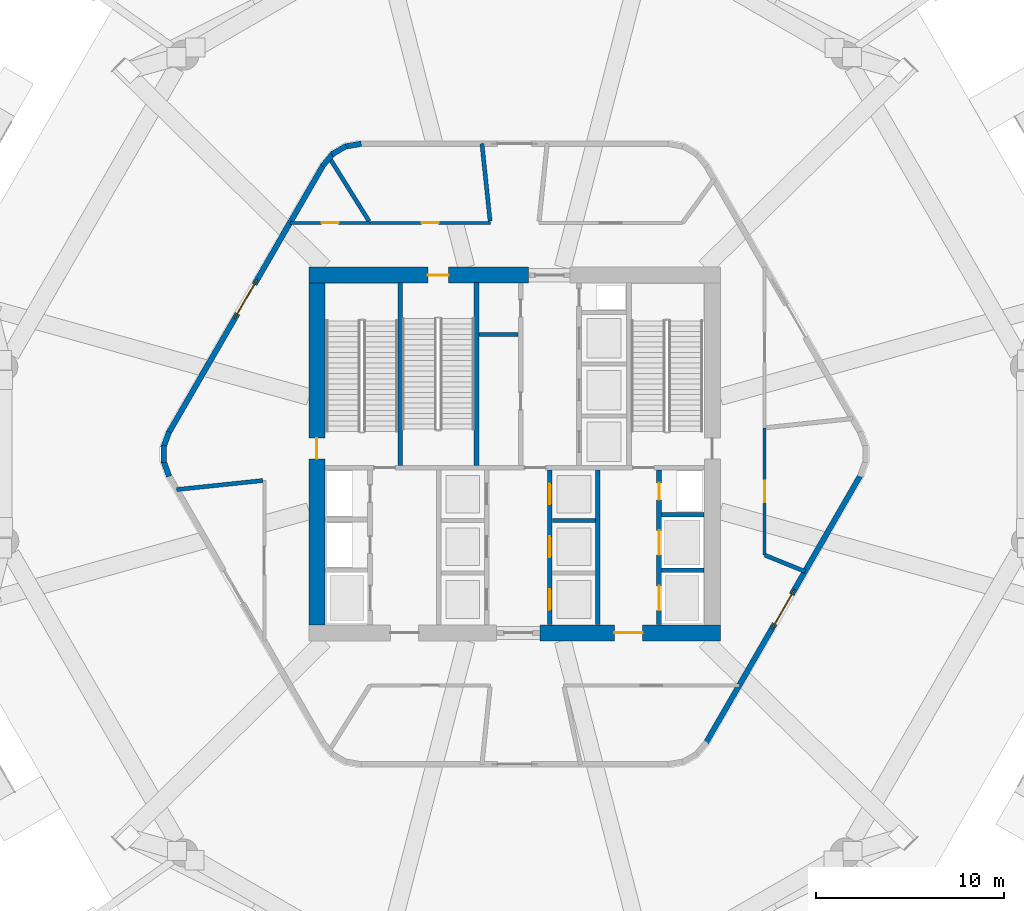
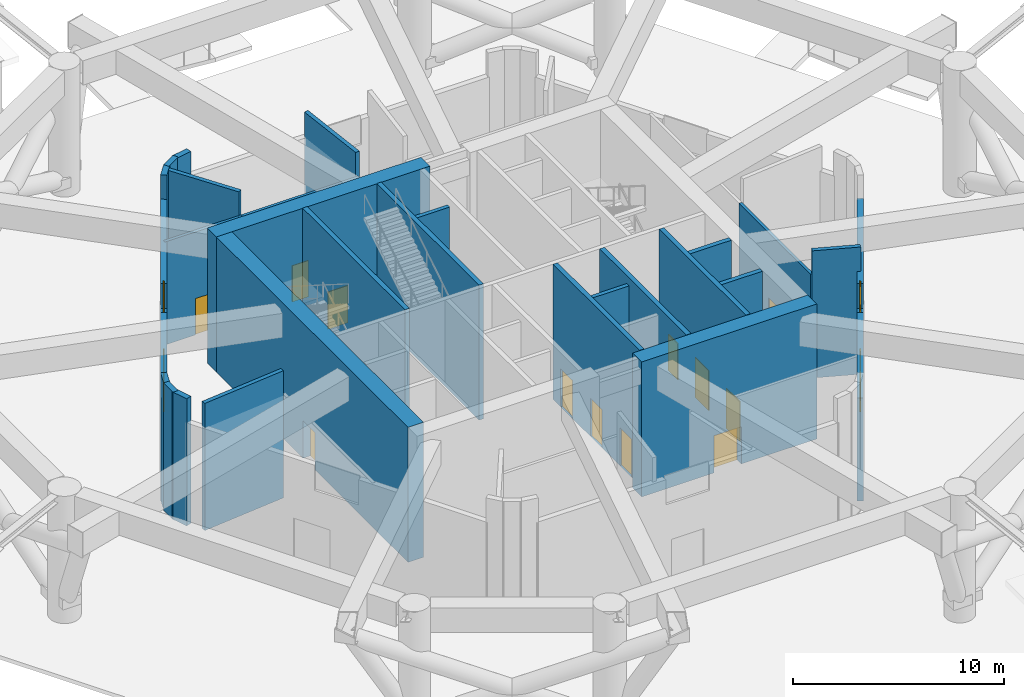
# One storey, part 10 of 17: 27 walls, 14 doors, 2 windows, 16 openings.
"""IFC4 building model written with IfcOpenShell, lengths in metres."""

import ifcopenshell
import ifcopenshell.guid

model = None  # the IFC model being written
_history = None  # IfcOwnerHistory: only IFC2X3 demands one
_inside = {}  # id of a spatial element -> (the spatial element, [elements in it])
_under = {}  # id of a project, library or spatial element -> (it, [spatial elements below it])
_declared = {}  # id of a project -> (the project, [libraries it declares])
_typed = {}  # id of a type object -> (the type object, [elements of that type])
_made_of = {}  # id of a material, layer set ... -> (it, [elements and type objects made of it])


def new_model(schema):
    """Start an empty IFC model of exactly this schema.

    Asked for "IFC4X3", IfcOpenShell would pick the latest addendum, in which some entities
    have other attributes; the version numbers below select the first issue.
    IFC2X3 requires an IfcOwnerHistory on every rooted entity: one is made here for all.
    """
    global model, _history
    if schema == "IFC4X3":
        model = ifcopenshell.file(schema_version=(4, 3, 0, 0))
    else:
        model = ifcopenshell.file(schema=schema)
    _inside.clear()
    _under.clear()
    _declared.clear()
    _typed.clear()
    _made_of.clear()
    _history = None
    if model.schema == "IFC2X3":
        org = make("IfcOrganization", Name="unknown")
        user = make(
            "IfcPersonAndOrganization",
            ThePerson=make("IfcPerson", FamilyName="unknown"),
            TheOrganization=org,
        )
        app = make(
            "IfcApplication",
            ApplicationDeveloper=org,
            Version="unknown",
            ApplicationFullName="unknown",
            ApplicationIdentifier="unknown",
        )
        _history = make(
            "IfcOwnerHistory",
            OwningUser=user,
            OwningApplication=app,
            ChangeAction="ADDED",
            CreationDate=0,
        )
    return model


def make(cls, **values):
    """One entity of the class cls with the attributes given. An attribute that is None is left unset."""
    return model.create_entity(
        cls, **{name: value for name, value in values.items() if value is not None}
    )


def rooted(cls, **values):
    """An entity with a GlobalId (a new one), such as an element, a storey or a relation."""
    return make(cls, GlobalId=ifcopenshell.guid.new(), OwnerHistory=_history, **values)


def si_unit(unit_type, name, prefix=None):
    """IfcSIUnit, for example si_unit("LENGTHUNIT", "METRE", prefix="MILLI")."""
    return make("IfcSIUnit", UnitType=unit_type, Prefix=prefix, Name=name)


def assignment(units):
    """IfcUnitAssignment: the units of a project."""
    return None if units is None else make("IfcUnitAssignment", Units=units)


def point(xyz):
    """IfcCartesianPoint."""
    return None if xyz is None else make("IfcCartesianPoint", Coordinates=xyz)


def direction(xyz):
    """IfcDirection."""
    return None if xyz is None else make("IfcDirection", DirectionRatios=xyz)


def frame(location, z_axis=None, x_axis=None):
    """IfcAxis2Placement3D, a coordinate frame: its origin and axes. An axis left out is left unset."""
    return make(
        "IfcAxis2Placement3D",
        Location=point(location),
        Axis=direction(z_axis),
        RefDirection=direction(x_axis),
    )


def frame_2d(location, x_axis=None):
    """IfcAxis2Placement2D, a coordinate frame in the plane: its origin and x axis."""
    return make(
        "IfcAxis2Placement2D", Location=point(location), RefDirection=direction(x_axis)
    )


def origin():
    """The frame at (0, 0, 0) with its axes left unset."""
    return frame((0.0, 0.0, 0.0))


def place(relative_to, where):
    """IfcLocalPlacement: puts the frame where relative to a parent placement (None: the world)."""
    return make(
        "IfcLocalPlacement", PlacementRelTo=relative_to, RelativePlacement=where
    )


def context(
    kind, dimensions, precision=None, world=None, true_north=None, identifier=None
):
    """IfcGeometricRepresentationContext, for example the 3D "Model" context."""
    return make(
        "IfcGeometricRepresentationContext",
        ContextIdentifier=identifier,
        ContextType=kind,
        CoordinateSpaceDimension=dimensions,
        Precision=precision,
        WorldCoordinateSystem=world,
        TrueNorth=true_north,
    )


def subcontext(parent, identifier, kind, view, scale=None):
    """IfcGeometricRepresentationSubContext, for example "Body" below "Model"."""
    return make(
        "IfcGeometricRepresentationSubContext",
        ContextIdentifier=identifier,
        ContextType=kind,
        ParentContext=parent,
        TargetScale=scale,
        TargetView=view,
    )


def project(units=None, contexts=None):
    """IfcProject with its units and contexts."""
    return rooted(
        "IfcProject",
        Name="project",
        RepresentationContexts=contexts,
        UnitsInContext=assignment(units),
    )


def spatial(cls, under=None, at=None, **own):
    """A site, building, storey or space (cls), placed at a placement, below another one or the project."""
    s = rooted(cls, ObjectPlacement=at, **own)
    if under is not None:
        _under.setdefault(under.id(), (under, []))[1].append(s)
    return s


def profile(cls, at=None, kind="AREA", **sizes):
    """A parametric profile (cls). Its sizes go by their IFC names, for example OverallWidth=200.0."""
    return make(cls, ProfileType=kind, Position=at, **sizes)


def rectangle(**sizes):
    """IfcRectangleProfileDef."""
    return profile("IfcRectangleProfileDef", **sizes)


def extrude(swept, where, along, depth):
    """IfcExtrudedAreaSolid: the profile swept, set in the frame where, extruded along a direction by depth."""
    return make(
        "IfcExtrudedAreaSolid",
        SweptArea=swept,
        Position=where,
        ExtrudedDirection=direction(along),
        Depth=depth,
    )


def shape(context_of_items, identifier, shape_type, items):
    """IfcShapeRepresentation: the items that make up one representation, for example the "Body"."""
    return make(
        "IfcShapeRepresentation",
        ContextOfItems=context_of_items,
        RepresentationIdentifier=identifier,
        RepresentationType=shape_type,
        Items=items,
    )


def material(Name=None, Category=None):
    """IfcMaterial."""
    return make("IfcMaterial", Name=Name, Category=Category)


def layer(
    of_material, thickness, ventilated=None, Name=None, Category=None, Priority=None
):
    """IfcMaterialLayer: one layer of a wall or slab, of a material (None: an air gap)."""
    return make(
        "IfcMaterialLayer",
        Material=of_material,
        LayerThickness=thickness,
        IsVentilated=ventilated,
        Name=Name,
        Category=Category,
        Priority=Priority,
    )


def layer_set(layers, Name=None):
    """IfcMaterialLayerSet."""
    return make("IfcMaterialLayerSet", MaterialLayers=layers, LayerSetName=Name)


def made_of(thing, what):
    """Note that an element or type object is made of a material, layer set ...; save() writes the relation."""
    if what is not None:
        _made_of.setdefault(what.id(), (what, []))[1].append(thing)
    return thing


def type_object(cls, material=None, **own):
    """A type object (cls), such as IfcWallType, which elements share."""
    return made_of(rooted(cls, **own), material)


def element(
    cls,
    number,
    at=None,
    inside=None,
    cuts=None,
    type_object=None,
    material=None,
    context=None,
    identifier="Body",
    shape_type=None,
    held_by="IfcProductDefinitionShape",
    body=None,
    shapes=None,
    **own,
):
    """One element of the class cls, such as IfcWall. Its Tag is "e" and its number.

    at: its placement. inside: the storey or other place that contains it. cuts: it is an
    opening in that element (IfcRelVoidsElement). A single representation is given by context,
    identifier, shape_type and body (its items); several are given by shapes. held_by: the class
    of the entity that holds the representations. save() writes the other relations.
    """
    e = rooted(cls, Tag="e%d" % number, ObjectPlacement=at, **own)
    if body is not None:
        shapes = [shape(context, identifier, shape_type, body)]
    if shapes is not None:
        e.Representation = make(held_by, Representations=shapes)
    if inside is not None:
        _inside.setdefault(inside.id(), (inside, []))[1].append(e)
    if cuts is not None:
        rooted(
            "IfcRelVoidsElement", RelatingBuildingElement=cuts, RelatedOpeningElement=e
        )
    if type_object is not None:
        _typed.setdefault(type_object.id(), (type_object, []))[1].append(e)
    return made_of(e, material)


def fill(opening, filler):
    """IfcRelFillsElement: the door or window that sits in an opening."""
    return rooted(
        "IfcRelFillsElement",
        RelatingOpeningElement=opening,
        RelatedBuildingElement=filler,
    )


def aggregate(whole, parts):
    """IfcRelAggregates: a whole, such as a stair, and the parts it consists of."""
    return rooted("IfcRelAggregates", RelatingObject=whole, RelatedObjects=parts)


def save(model, path):
    """Write the relations noted so far, then the file.

    IfcRelAggregates (storeys below a building ...), IfcRelContainedInSpatialStructure (elements
    in a storey), IfcRelDefinesByType, IfcRelAssociatesMaterial and IfcRelDeclares: one each for
    every whole, place, type object, material and project.
    """
    for whole, parts in _under.values():
        aggregate(whole, parts)
    for where, things in _inside.values():
        rooted(
            "IfcRelContainedInSpatialStructure",
            RelatedElements=things,
            RelatingStructure=where,
        )
    for kind, things in _typed.values():
        rooted("IfcRelDefinesByType", RelatedObjects=things, RelatingType=kind)
    for what, things in _made_of.values():
        rooted("IfcRelAssociatesMaterial", RelatedObjects=things, RelatingMaterial=what)
    for by, libraries in _declared.values():
        rooted("IfcRelDeclares", RelatingContext=by, RelatedDefinitions=libraries)
    model.write(path)


model = new_model("IFC4")

# Units and contexts
model_context = context("Model", 3, precision=1e-05, world=origin(), true_north=direction((0.0, 1.0)))
body_context = subcontext(model_context, "Body", "Model", "MODEL_VIEW")
ifc_project = project(units=[si_unit("LENGTHUNIT", "METRE"), si_unit("AREAUNIT", "SQUARE_METRE"), si_unit("VOLUMEUNIT", "CUBIC_METRE"), si_unit("PLANEANGLEUNIT", "RADIAN"), si_unit("MASSUNIT", "GRAM", prefix="KILO")], contexts=[model_context])

# Site, building, storey
site_placement = place(None, origin())
site = spatial("IfcSite", under=ifc_project, at=site_placement, CompositionType="ELEMENT")
building_placement = place(site_placement, origin())
building = spatial("IfcBuilding", under=site, at=building_placement, Name="Zuhravey Tower", CompositionType="ELEMENT")
storey_placement = place(building_placement, origin())
storey = spatial("IfcBuildingStorey", under=building, at=storey_placement, Name="L01", CompositionType="ELEMENT", Elevation=0.0)

# Wall, opening, door
ifc_material_1 = material(Name="Concrete C60/75", Category="concrete")
ifc_layer_1 = layer(ifc_material_1, 0.85009765625)
ifc_layer_set_1 = layer_set([ifc_layer_1], Name="Concrete C60/75")
wall_type_1 = type_object("IfcWallType", Name="Core Shear Wall 850", PredefinedType="SHEAR", material=ifc_layer_set_1)
wall_1_placement = place(storey_placement, frame((37.35009765625, 22.5, 0.0), z_axis=(0.0, 0.0, 1.0), x_axis=(1.0, 0.0, 0.0)))
wall_1 = element("IfcWall", 1, at=wall_1_placement, inside=storey, type_object=wall_type_1, Name="L01 South-East Core Shear Wall CW85", PredefinedType="SHEAR", context=body_context, shape_type="SweptSolid", body=[
    extrude(rectangle(XDim=9.574951171875, YDim=0.85009765625, at=frame_2d((4.78759765625, 0.0))), origin(), (0.0, 0.0, 1.0), 7.800048828125),
])
opening_1_placement = place(wall_1_placement, frame((3.949951171875, 0.0, 0.0)))
opening_1 = element("IfcOpeningElement", 2, at=opening_1_placement, cuts=wall_1, Name="Opening FFD1", PredefinedType="OPENING", context=body_context, shape_type="SweptSolid", body=[
    extrude(rectangle(XDim=1.5, YDim=2.14990234375, at=frame_2d((0.75, 1.074951171875))), frame((0.0, 0.43701171875, 0.0), z_axis=(0.0, -1.0, 0.0), x_axis=(1.0, 0.0, 0.0)), (0.0, 0.0, 1.0), 0.8740234375),
])
ifc_material_2 = material(Name="Galvanised fire-rated steel leaf", Category="steel")
door_type_1 = type_object("IfcDoorType", Name="Firefighting Lobby Double Door 1500x2150", OperationType="DOUBLE_DOOR_SINGLE_SWING", PredefinedType="DOOR", material=ifc_material_2)
door_1_placement = place(opening_1_placement, frame((1.5, 0.0, 0.0), z_axis=(0.0, 0.0, 1.0), x_axis=(-1.0, 0.0, 0.0)))
door_1 = element("IfcDoor", 3, at=door_1_placement, inside=storey, type_object=door_type_1, Name="L01 Firefighting Lobby East Door", OperationType="DOUBLE_DOOR_SINGLE_SWING", OverallHeight=2.14990234375, OverallWidth=1.5, PredefinedType="DOOR", context=body_context, shape_type="SweptSolid", body=[
    extrude(rectangle(XDim=1.5, YDim=2.14990234375, at=frame_2d((0.75, 1.074951171875))), frame((0.0, 0.02490234375, 0.0), z_axis=(0.0, -1.0, 0.0), x_axis=(1.0, 0.0, 0.0)), (0.0, 0.0, 1.0), 0.050048828125),
])
fill(opening_1, door_1)

wall_2_placement = place(storey_placement, frame((36.75, 41.5, 0.0), z_axis=(0.0, 0.0, 1.0), x_axis=(-1.0, 0.0, 0.0)))
wall_2 = element("IfcWall", 4, at=wall_2_placement, inside=storey, type_object=wall_type_1, Name="L01 North-West Core Shear Wall CW85", PredefinedType="SHEAR", context=body_context, shape_type="SweptSolid", body=[
    extrude(rectangle(XDim=11.675048828125, YDim=0.85009765625, at=frame_2d((5.83740234375, 0.0))), origin(), (0.0, 0.0, 1.0), 7.800048828125),
])
opening_2_placement = place(wall_2_placement, frame((4.25, 0.0, 0.0)))
opening_2 = element("IfcOpeningElement", 5, at=opening_2_placement, cuts=wall_2, Name="Opening STD1", PredefinedType="OPENING", context=body_context, shape_type="SweptSolid", body=[
    extrude(rectangle(XDim=1.10009765625, YDim=2.14990234375, at=frame_2d((0.550048828125, 1.074951171875))), frame((0.0, 0.43701171875, 0.0), z_axis=(0.0, -1.0, 0.0), x_axis=(1.0, 0.0, 0.0)), (0.0, 0.0, 1.0), 0.8740234375),
])
door_type_2 = type_object("IfcDoorType", Name="Protected Stair Fire Door 1100x2150", OperationType="NOTDEFINED", PredefinedType="USERDEFINED", material=ifc_material_2)
door_2_placement = place(opening_2_placement, frame((1.10009765625, 0.0, 0.0), z_axis=(0.0, 0.0, 1.0), x_axis=(-1.0, 0.0, 0.0)))
door_2 = element("IfcDoor", 6, at=door_2_placement, inside=storey, type_object=door_type_2, Name="L01 Stair ST3 Door", ObjectType="EXITDOOR", OperationType="SINGLE_SWING_RIGHT", OverallHeight=2.14990234375, OverallWidth=1.10009765625, PredefinedType="USERDEFINED", context=body_context, shape_type="SweptSolid", body=[
    extrude(rectangle(XDim=1.10009765625, YDim=2.14990234375, at=frame_2d((0.550048828125, 1.074951171875))), frame((0.0, 0.02490234375, 0.0), z_axis=(0.0, -1.0, 0.0), x_axis=(1.0, 0.0, 0.0)), (0.0, 0.0, 1.0), 0.050048828125),
])
fill(opening_2, door_2)

wall_3_placement = place(storey_placement, frame((25.5, 22.925048828125, 0.0), z_axis=(0.0, 0.0, 1.0), x_axis=(0.0, 1.0, 0.0)))
wall_3 = element("IfcWall", 7, at=wall_3_placement, inside=storey, type_object=wall_type_1, Name="L01 West Core Shear Wall CW85", PredefinedType="SHEAR", context=body_context, shape_type="SweptSolid", body=[
    extrude(rectangle(XDim=18.14990234375, YDim=0.85009765625, at=frame_2d((9.074951171875, 0.0))), origin(), (0.0, 0.0, 1.0), 7.800048828125),
])
opening_3_placement = place(wall_3_placement, frame((8.824951171875, 0.0, 0.0)))
opening_3 = element("IfcOpeningElement", 8, at=opening_3_placement, cuts=wall_3, Name="Opening STD1", PredefinedType="OPENING", context=body_context, shape_type="SweptSolid", body=[
    extrude(rectangle(XDim=1.10009765625, YDim=2.14990234375, at=frame_2d((0.550048828125, 1.074951171875))), frame((0.0, 0.43701171875, 0.0), z_axis=(0.0, -1.0, 0.0), x_axis=(1.0, 0.0, 0.0)), (0.0, 0.0, 1.0), 0.8740234375),
])
door_3_placement = place(opening_3_placement, origin())
door_3 = element("IfcDoor", 9, at=door_3_placement, inside=storey, type_object=door_type_2, Name="L01 Stair ST1 Door", ObjectType="EXITDOOR", OperationType="SINGLE_SWING_RIGHT", OverallHeight=2.14990234375, OverallWidth=1.10009765625, PredefinedType="USERDEFINED", context=body_context, shape_type="SweptSolid", body=[
    extrude(rectangle(XDim=1.10009765625, YDim=2.14990234375, at=frame_2d((0.550048828125, 1.074951171875))), frame((0.0, 0.02490234375, 0.0), z_axis=(0.0, -1.0, 0.0), x_axis=(1.0, 0.0, 0.0)), (0.0, 0.0, 1.0), 0.050048828125),
])
fill(opening_3, door_3)

ifc_material_3 = material(Name="Gypsum fire-rated stud partition")
ifc_layer_2 = layer(ifc_material_3, 0.159912109375)
ifc_layer_set_2 = layer_set([ifc_layer_2], Name="Gypsum fire-rated stud partition")
wall_type_2 = type_object("IfcWallType", Name="Corridor Fire Partition 160", PredefinedType="PARTITIONING", material=ifc_layer_set_2)
wall_4_placement = place(storey_placement, frame((49.284912109375, 26.632568359375, 0.0), z_axis=(0.0, 0.0, 1.0), x_axis=(0.0, 1.0, 0.0)))
wall_4 = element("IfcWall", 10, at=wall_4_placement, inside=storey, type_object=wall_type_2, Name="L01 IW16 Partition 022", PredefinedType="PARTITIONING", context=body_context, shape_type="SweptSolid", body=[
    extrude(rectangle(XDim=6.763671875, YDim=0.159912109375, at=frame_2d((3.3818359375, 0.0))), origin(), (0.0, 0.0, 1.0), 5.949951171875),
])
opening_4_placement = place(wall_4_placement, frame((2.806884765625, 0.0, 0.0)))
opening_4 = element("IfcOpeningElement", 11, at=opening_4_placement, cuts=wall_4, Name="Opening CLD1", PredefinedType="OPENING", context=body_context, shape_type="SweptSolid", body=[
    extrude(rectangle(XDim=1.14990234375, YDim=2.199951171875, at=frame_2d((0.574951171875, 1.10009765625))), frame((0.0, 0.092041015625, 0.0), z_axis=(0.0, -1.0, 0.0), x_axis=(1.0, 0.0, 0.0)), (0.0, 0.0, 1.0), 0.183837890625),
])
ifc_material_4 = material(Name="Acoustic timber leaf with vision lite", Category="wood")
door_type_3 = type_object("IfcDoorType", Name="Classroom Acoustic Door 1150x2200", OperationType="NOTDEFINED", PredefinedType="DOOR", material=ifc_material_4)
door_4_placement = place(opening_4_placement, frame((1.14990234375, 0.0, 0.0), z_axis=(0.0, 0.0, 1.0), x_axis=(-1.0, 0.0, 0.0)))
door_4 = element("IfcDoor", 12, at=door_4_placement, inside=storey, type_object=door_type_3, Name="L01 Door 022.1", OperationType="SINGLE_SWING_LEFT", OverallHeight=2.199951171875, OverallWidth=1.14990234375, PredefinedType="DOOR", context=body_context, shape_type="SweptSolid", body=[
    extrude(rectangle(XDim=1.14990234375, YDim=2.199951171875, at=frame_2d((0.574951171875, 1.10009765625))), frame((0.0, 0.02490234375, 0.0), z_axis=(0.0, -1.0, 0.0), x_axis=(1.0, 0.0, 0.0)), (0.0, 0.0, 1.0), 0.050048828125),
])
fill(opening_4, door_4)

wall_5_placement = place(storey_placement, frame((34.708740234375, 44.284912109375, 0.0), z_axis=(0.0, 0.0, 1.0), x_axis=(-1.0, 0.0, 0.0)))
wall_5 = element("IfcWall", 13, at=wall_5_placement, inside=storey, type_object=wall_type_2, Name="L01 IW16 Partition 024", PredefinedType="PARTITIONING", context=body_context, shape_type="SweptSolid", body=[
    extrude(rectangle(XDim=6.38525390625, YDim=0.159912109375, at=frame_2d((3.192626953125, 0.0))), origin(), (0.0, 0.0, 1.0), 5.949951171875),
])
opening_5_placement = place(wall_5_placement, frame((2.74267578125, 0.0, 0.0)))
opening_5 = element("IfcOpeningElement", 14, at=opening_5_placement, cuts=wall_5, Name="Opening RSD1", PredefinedType="OPENING", context=body_context, shape_type="SweptSolid", body=[
    extrude(rectangle(XDim=0.89990234375, YDim=2.10009765625, at=frame_2d((0.449951171875, 1.050048828125))), frame((0.0, 0.092041015625, 0.0), z_axis=(0.0, -1.0, 0.0), x_axis=(1.0, 0.0, 0.0)), (0.0, 0.0, 1.0), 0.183837890625),
])
ifc_material_5 = material(Name="Galvanised fire-rated steel access leaf", Category="steel")
door_type_4 = type_object("IfcDoorType", Name="Riser & Shaft Access Fire Door 900x2100", OperationType="NOTDEFINED", PredefinedType="DOOR", material=ifc_material_5)
door_5_placement = place(opening_5_placement, frame((0.89990234375, 0.0, 0.0), z_axis=(0.0, 0.0, 1.0), x_axis=(-1.0, 0.0, 0.0)))
door_5 = element("IfcDoor", 15, at=door_5_placement, inside=storey, type_object=door_type_4, Name="L01 Door 024.1", OperationType="SINGLE_SWING_LEFT", OverallHeight=2.10009765625, OverallWidth=0.89990234375, PredefinedType="DOOR", context=body_context, shape_type="SweptSolid", body=[
    extrude(rectangle(XDim=0.89990234375, YDim=2.10009765625, at=frame_2d((0.449951171875, 1.050048828125))), frame((0.0, 0.02490234375, 0.0), z_axis=(0.0, -1.0, 0.0), x_axis=(1.0, 0.0, 0.0)), (0.0, 0.0, 1.0), 0.050048828125),
])
fill(opening_5, door_5)

wall_6_placement = place(storey_placement, frame((28.323486328125, 44.284912109375, 0.0), z_axis=(0.0, 0.0, 1.0), x_axis=(-1.0, 0.0, 0.0)))
wall_6 = element("IfcWall", 16, at=wall_6_placement, inside=storey, type_object=wall_type_2, Name="L01 IW16 Partition 025", PredefinedType="PARTITIONING", context=body_context, shape_type="SweptSolid", body=[
    extrude(rectangle(XDim=4.24609375, YDim=0.159912109375, at=frame_2d((2.123046875, 0.0))), origin(), (0.0, 0.0, 1.0), 5.949951171875),
])
opening_6_placement = place(wall_6_placement, frame((1.673095703125, 0.0, 0.0)))
opening_6 = element("IfcOpeningElement", 17, at=opening_6_placement, cuts=wall_6, Name="Opening RSD1", PredefinedType="OPENING", context=body_context, shape_type="SweptSolid", body=[
    extrude(rectangle(XDim=0.89990234375, YDim=2.10009765625, at=frame_2d((0.449951171875, 1.050048828125))), frame((0.0, 0.092041015625, 0.0), z_axis=(0.0, -1.0, 0.0), x_axis=(1.0, 0.0, 0.0)), (0.0, 0.0, 1.0), 0.183837890625),
])
door_6_placement = place(opening_6_placement, frame((0.89990234375, 0.0, 0.0), z_axis=(0.0, 0.0, 1.0), x_axis=(-1.0, 0.0, 0.0)))
door_6 = element("IfcDoor", 18, at=door_6_placement, inside=storey, type_object=door_type_4, Name="L01 Door 025.1", OperationType="SINGLE_SWING_RIGHT", OverallHeight=2.10009765625, OverallWidth=0.89990234375, PredefinedType="DOOR", context=body_context, shape_type="SweptSolid", body=[
    extrude(rectangle(XDim=0.89990234375, YDim=2.10009765625, at=frame_2d((0.449951171875, 1.050048828125))), frame((0.0, 0.02490234375, 0.0), z_axis=(0.0, -1.0, 0.0), x_axis=(1.0, 0.0, 0.0)), (0.0, 0.0, 1.0), 0.050048828125),
])
fill(opening_6, door_6)

# Walls
ifc_material_6 = material(Name="Concrete C50/60", Category="concrete")
ifc_layer_3 = layer(ifc_material_6, 0.25)
ifc_layer_set_3 = layer_set([ifc_layer_3], Name="Concrete C50/60")
wall_type_3 = type_object("IfcWallType", Name="Firefighting Shaft & Stair Wall 250", PredefinedType="SOLIDWALL", material=ifc_layer_set_3)
for number, where, z_axis, x_axis, name in (
    (19, (29.925048828125, 31.39990234375, 0.0), (0.0, 0.0, 1.0), (0.0, 1.0, 0.0), "L01 FW25 Shaft Wall 004"),
    (20, (33.97509765625, 31.39990234375, 0.0), (0.0, 0.0, 1.0), (0.0, 1.0, 0.0), "L01 FW25 Shaft Wall 005"),
):
    element("IfcWall", number, at=place(storey_placement, frame(where, z_axis=z_axis, x_axis=x_axis)), inside=storey, type_object=wall_type_3, Name=name, PredefinedType="SOLIDWALL", context=body_context, shape_type="SweptSolid", body=[
        extrude(rectangle(XDim=9.7001953125, YDim=0.25, at=frame_2d((4.85009765625, 0.0))), origin(), (0.0, 0.0, 1.0), 7.800048828125),
    ])

# Wall, openings, doors
wall_7_placement = place(storey_placement, frame((37.875, 22.949951171875, 0.0), z_axis=(0.0, 0.0, 1.0), x_axis=(0.0, 1.0, 0.0)))
wall_7 = element("IfcWall", 21, at=wall_7_placement, inside=storey, type_object=wall_type_3, Name="L01 FW25 Shaft Wall 014", PredefinedType="SOLIDWALL", context=body_context, shape_type="SweptSolid", body=[
    extrude(rectangle(XDim=8.199951171875, YDim=0.25, at=frame_2d((4.10009765625, 0.0))), origin(), (0.0, 0.0, 1.0), 7.800048828125),
])
opening_7_placement = place(wall_7_placement, frame((0.77490234375, 0.0, 0.0)))
opening_7 = element("IfcOpeningElement", 22, at=opening_7_placement, cuts=wall_7, Name="Opening LD1", PredefinedType="OPENING", context=body_context, shape_type="SweptSolid", body=[
    extrude(rectangle(XDim=1.10009765625, YDim=2.199951171875, at=frame_2d((0.550048828125, 1.10009765625))), frame((0.0, 0.136962890625, 0.0), z_axis=(0.0, -1.0, 0.0), x_axis=(1.0, 0.0, 0.0)), (0.0, 0.0, 1.0), 0.27392578125),
])
opening_8_placement = place(wall_7_placement, frame((3.574951171875, 0.0, 0.0)))
opening_8 = element("IfcOpeningElement", 23, at=opening_8_placement, cuts=wall_7, Name="Opening LD1", PredefinedType="OPENING", context=body_context, shape_type="SweptSolid", body=[
    extrude(rectangle(XDim=1.10009765625, YDim=2.199951171875, at=frame_2d((0.550048828125, 1.10009765625))), frame((0.0, 0.136962890625, 0.0), z_axis=(0.0, -1.0, 0.0), x_axis=(1.0, 0.0, 0.0)), (0.0, 0.0, 1.0), 0.27392578125),
])
opening_9_placement = place(wall_7_placement, frame((6.375, 0.0, 0.0)))
opening_9 = element("IfcOpeningElement", 24, at=opening_9_placement, cuts=wall_7, Name="Opening LD1", PredefinedType="OPENING", context=body_context, shape_type="SweptSolid", body=[
    extrude(rectangle(XDim=1.10009765625, YDim=2.199951171875, at=frame_2d((0.550048828125, 1.10009765625))), frame((0.0, 0.136962890625, 0.0), z_axis=(0.0, -1.0, 0.0), x_axis=(1.0, 0.0, 0.0)), (0.0, 0.0, 1.0), 0.27392578125),
])
ifc_material_7 = material(Name="Brushed stainless steel", Category="steel")
door_type_5 = type_object("IfcDoorType", Name="Lift Landing Sliding Door 1100x2200", OperationType="DOUBLE_DOOR_SLIDING", PredefinedType="DOOR", material=ifc_material_7)
door_7_placement = place(opening_7_placement, origin())
door_7 = element("IfcDoor", 25, at=door_7_placement, inside=storey, type_object=door_type_5, Name="L01 Lift PL4 Landing Door", OperationType="DOUBLE_DOOR_SLIDING", OverallHeight=2.199951171875, OverallWidth=1.10009765625, PredefinedType="DOOR", context=body_context, shape_type="SweptSolid", body=[
    extrude(rectangle(XDim=1.10009765625, YDim=2.199951171875, at=frame_2d((0.550048828125, 1.10009765625))), frame((0.0, 0.02490234375, 0.0), z_axis=(0.0, -1.0, 0.0), x_axis=(1.0, 0.0, 0.0)), (0.0, 0.0, 1.0), 0.050048828125),
])
fill(opening_7, door_7)
door_8_placement = place(opening_8_placement, origin())
door_8 = element("IfcDoor", 26, at=door_8_placement, inside=storey, type_object=door_type_5, Name="L01 Lift PL5 Landing Door", OperationType="DOUBLE_DOOR_SLIDING", OverallHeight=2.199951171875, OverallWidth=1.10009765625, PredefinedType="DOOR", context=body_context, shape_type="SweptSolid", body=[
    extrude(rectangle(XDim=1.10009765625, YDim=2.199951171875, at=frame_2d((0.550048828125, 1.10009765625))), frame((0.0, 0.02490234375, 0.0), z_axis=(0.0, -1.0, 0.0), x_axis=(1.0, 0.0, 0.0)), (0.0, 0.0, 1.0), 0.050048828125),
])
fill(opening_8, door_8)
door_9_placement = place(opening_9_placement, origin())
door_9 = element("IfcDoor", 27, at=door_9_placement, inside=storey, type_object=door_type_5, Name="L01 Lift PL6 Landing Door", OperationType="DOUBLE_DOOR_SLIDING", OverallHeight=2.199951171875, OverallWidth=1.10009765625, PredefinedType="DOOR", context=body_context, shape_type="SweptSolid", body=[
    extrude(rectangle(XDim=1.10009765625, YDim=2.199951171875, at=frame_2d((0.550048828125, 1.10009765625))), frame((0.0, 0.02490234375, 0.0), z_axis=(0.0, -1.0, 0.0), x_axis=(1.0, 0.0, 0.0)), (0.0, 0.0, 1.0), 0.050048828125),
])
fill(opening_9, door_9)

# Walls
wall_8_placement = place(storey_placement, frame((40.425048828125, 22.949951171875, 0.0), z_axis=(0.0, 0.0, 1.0), x_axis=(0.0, 1.0, 0.0)))
element("IfcWall", 28, at=wall_8_placement, inside=storey, type_object=wall_type_3, Name="L01 FW25 Shaft Wall 015", PredefinedType="SOLIDWALL", context=body_context, shape_type="SweptSolid", body=[
    extrude(rectangle(XDim=8.199951171875, YDim=0.25, at=frame_2d((4.10009765625, 0.0))), origin(), (0.0, 0.0, 1.0), 7.800048828125),
])
for number, where, z_axis, x_axis, name in (
    (29, (43.800048828125, 25.824951171875, 0.0), (0.0, 0.0, 1.0), (1.0, 0.0, 0.0), "L01 FW25 Shaft Wall 016"),
    (30, (43.800048828125, 28.77490234375, 0.0), (0.0, 0.0, 1.0), (1.0, 0.0, 0.0), "L01 FW25 Shaft Wall 017"),
):
    element("IfcWall", number, at=place(storey_placement, frame(where, z_axis=z_axis, x_axis=x_axis)), inside=storey, type_object=wall_type_3, Name=name, PredefinedType="SOLIDWALL", context=body_context, shape_type="SweptSolid", body=[
        extrude(rectangle(XDim=2.25, YDim=0.25, at=frame_2d((1.125, 0.0))), origin(), (0.0, 0.0, 1.0), 7.800048828125),
    ])

# Wall, openings, doors
wall_9_placement = place(storey_placement, frame((43.675048828125, 22.949951171875, 0.0), z_axis=(0.0, 0.0, 1.0), x_axis=(0.0, 1.0, 0.0)))
wall_9 = element("IfcWall", 31, at=wall_9_placement, inside=storey, type_object=wall_type_3, Name="L01 FW25 Shaft Wall 018", PredefinedType="SOLIDWALL", context=body_context, shape_type="SweptSolid", body=[
    extrude(rectangle(XDim=8.199951171875, YDim=0.25, at=frame_2d((4.10009765625, 0.0))), origin(), (0.0, 0.0, 1.0), 7.800048828125),
])
opening_10_placement = place(wall_9_placement, frame((0.75, 0.0, 0.0)))
opening_10 = element("IfcOpeningElement", 32, at=opening_10_placement, cuts=wall_9, Name="Opening LD2", PredefinedType="OPENING", context=body_context, shape_type="SweptSolid", body=[
    extrude(rectangle(XDim=1.300048828125, YDim=2.300048828125, at=frame_2d((0.64990234375, 1.14990234375))), frame((0.0, 0.136962890625, 0.0), z_axis=(0.0, -1.0, 0.0), x_axis=(1.0, 0.0, 0.0)), (0.0, 0.0, 1.0), 0.27392578125),
])
opening_11_placement = place(wall_9_placement, frame((3.699951171875, 0.0, 0.0)))
opening_11 = element("IfcOpeningElement", 33, at=opening_11_placement, cuts=wall_9, Name="Opening LD2", PredefinedType="OPENING", context=body_context, shape_type="SweptSolid", body=[
    extrude(rectangle(XDim=1.300048828125, YDim=2.300048828125, at=frame_2d((0.64990234375, 1.14990234375))), frame((0.0, 0.136962890625, 0.0), z_axis=(0.0, -1.0, 0.0), x_axis=(1.0, 0.0, 0.0)), (0.0, 0.0, 1.0), 0.27392578125),
])
opening_12_placement = place(wall_9_placement, frame((6.6201171875, 0.0, 0.0)))
opening_12 = element("IfcOpeningElement", 34, at=opening_12_placement, cuts=wall_9, Name="Opening RSD1", PredefinedType="OPENING", context=body_context, shape_type="SweptSolid", body=[
    extrude(rectangle(XDim=0.89990234375, YDim=2.10009765625, at=frame_2d((0.449951171875, 1.050048828125))), frame((0.0, 0.136962890625, 0.0), z_axis=(0.0, -1.0, 0.0), x_axis=(1.0, 0.0, 0.0)), (0.0, 0.0, 1.0), 0.27392578125),
])
door_type_6 = type_object("IfcDoorType", Name="Freight & Stretcher Lift Sliding Door 1300x2300", OperationType="DOUBLE_DOOR_SLIDING", PredefinedType="DOOR", material=ifc_material_7)
door_10_placement = place(opening_10_placement, origin())
door_10 = element("IfcDoor", 35, at=door_10_placement, inside=storey, type_object=door_type_6, Name="L01 Lift FF2 Landing Door", OperationType="DOUBLE_DOOR_SLIDING", OverallHeight=2.300048828125, OverallWidth=1.300048828125, PredefinedType="DOOR", context=body_context, shape_type="SweptSolid", body=[
    extrude(rectangle(XDim=1.300048828125, YDim=2.300048828125, at=frame_2d((0.64990234375, 1.14990234375))), frame((0.0, 0.02490234375, 0.0), z_axis=(0.0, -1.0, 0.0), x_axis=(1.0, 0.0, 0.0)), (0.0, 0.0, 1.0), 0.050048828125),
])
fill(opening_10, door_10)
door_11_placement = place(opening_11_placement, origin())
door_11 = element("IfcDoor", 36, at=door_11_placement, inside=storey, type_object=door_type_6, Name="L01 Lift SV1 Landing Door", OperationType="DOUBLE_DOOR_SLIDING", OverallHeight=2.300048828125, OverallWidth=1.300048828125, PredefinedType="DOOR", context=body_context, shape_type="SweptSolid", body=[
    extrude(rectangle(XDim=1.300048828125, YDim=2.300048828125, at=frame_2d((0.64990234375, 1.14990234375))), frame((0.0, 0.02490234375, 0.0), z_axis=(0.0, -1.0, 0.0), x_axis=(1.0, 0.0, 0.0)), (0.0, 0.0, 1.0), 0.050048828125),
])
fill(opening_11, door_11)
door_12_placement = place(opening_12_placement, origin())
door_12 = element("IfcDoor", 37, at=door_12_placement, inside=storey, type_object=door_type_4, Name="L01 Plumbing Riser Door", OperationType="SINGLE_SWING_LEFT", OverallHeight=2.10009765625, OverallWidth=0.89990234375, PredefinedType="DOOR", context=body_context, shape_type="SweptSolid", body=[
    extrude(rectangle(XDim=0.89990234375, YDim=2.10009765625, at=frame_2d((0.449951171875, 1.050048828125))), frame((0.0, 0.02490234375, 0.0), z_axis=(0.0, -1.0, 0.0), x_axis=(1.0, 0.0, 0.0)), (0.0, 0.0, 1.0), 0.050048828125),
])
fill(opening_12, door_12)

# Walls
ifc_material_8 = material(Name="Gypsum acoustic stud assembly")
ifc_layer_4 = layer(ifc_material_8, 0.219970703125)
ifc_layer_set_4 = layer_set([ifc_layer_4], Name="Gypsum acoustic stud assembly")
wall_type_4 = type_object("IfcWallType", Name="School Acoustic Compartment Wall 220", PredefinedType="PARTITIONING", material=ifc_layer_set_4)
wall_10_placement = place(storey_placement, frame((34.10791015625, 38.35009765625, 0.0), z_axis=(0.0, 0.0, 1.0), x_axis=(1.0, 0.0, 0.0)))
element("IfcWall", 38, at=wall_10_placement, inside=storey, type_object=wall_type_4, Name="L01 IW22 Partition 027", PredefinedType="PARTITIONING", context=body_context, shape_type="SweptSolid", body=[
    extrude(rectangle(XDim=2.083984375, YDim=0.219970703125, at=frame_2d((1.0419921875, 0.0))), origin(), (0.0, 0.0, 1.0), 7.35009765625),
])
wall_11_placement = place(storey_placement, frame((38.008056640625, 28.47509765625, 0.0), z_axis=(0.0, 0.0, 1.0), x_axis=(1.0, 0.0, 0.0)))
element("IfcWall", 39, at=wall_11_placement, inside=storey, type_object=wall_type_4, Name="L01 IW22 Partition 034", PredefinedType="PARTITIONING", context=body_context, shape_type="SweptSolid", body=[
    extrude(rectangle(XDim=2.283935546875, YDim=0.219970703125, at=frame_2d((1.14208984375, 0.0))), origin(), (0.0, 0.0, 1.0), 7.35009765625),
])
wall_12_placement = place(storey_placement, frame((22.626953125, 30.594482421875, 0.0), z_axis=(0.0, 0.0, 1.0), x_axis=(-0.994522302342, -0.104524591102, 0.0)))
element("IfcWall", 40, at=wall_12_placement, inside=storey, type_object=wall_type_4, Name="L01 IW22 Partition 035", PredefinedType="PARTITIONING", context=body_context, shape_type="SweptSolid", body=[
    extrude(rectangle(XDim=4.601318359375, YDim=0.219970703125, at=frame_2d((2.30078125, 0.0))), origin(), (0.0, 0.0, 1.0), 7.35009765625),
])
wall_13_placement = place(storey_placement, frame((49.284912109375, 26.632568359375, 0.0), z_axis=(0.0, 0.0, 1.0), x_axis=(0.927194783694, -0.37457954174, 0.0)))
element("IfcWall", 41, at=wall_13_placement, inside=storey, type_object=wall_type_4, Name="L01 IW22 Partition 040", PredefinedType="PARTITIONING", context=body_context, shape_type="SweptSolid", body=[
    extrude(rectangle(XDim=2.321533203125, YDim=0.219970703125, at=frame_2d((1.16064453125, 0.0))), origin(), (0.0, 0.0, 1.0), 7.35009765625),
])
wall_14_placement = place(storey_placement, frame((34.699462890625, 44.373046875, 0.0), z_axis=(0.0, 0.0, 1.0), x_axis=(-0.1045035548, 0.994524513038, 0.0)))
element("IfcWall", 42, at=wall_14_placement, inside=storey, type_object=wall_type_4, Name="L01 IW22 Partition 042", PredefinedType="PARTITIONING", context=body_context, shape_type="SweptSolid", body=[
    extrude(rectangle(XDim=4.137451171875, YDim=0.219970703125, at=frame_2d((2.06884765625, 0.0))), origin(), (0.0, 0.0, 1.0), 7.35009765625),
])
wall_15_placement = place(storey_placement, frame((28.2685546875, 44.373046875, 0.0), z_axis=(0.0, 0.0, 1.0), x_axis=(-0.52994380532, 0.84803276069, 0.0)))
element("IfcWall", 43, at=wall_15_placement, inside=storey, type_object=wall_type_4, Name="L01 IW22 Partition 043", PredefinedType="PARTITIONING", context=body_context, shape_type="SweptSolid", body=[
    extrude(rectangle(XDim=3.98046875, YDim=0.219970703125, at=frame_2d((1.990234375, 0.0))), origin(), (0.0, 0.0, 1.0), 7.35009765625),
])

# Wall, openings, door, window
ifc_material_9 = material(Name="Precast concrete C40/50", Category="concrete")
ifc_layer_5 = layer(ifc_material_9, 0.300048828125)
ifc_layer_set_5 = layer_set([ifc_layer_5], Name="Precast concrete C40/50")
wall_type_5 = type_object("IfcWallType", Name="Stilt Pavilion Enclosure Wall 300", PredefinedType="SOLIDWALL", material=ifc_layer_set_5)
wall_16_placement = place(storey_placement, frame((54.398193359375, 30.9111328125, 0.0), z_axis=(0.0, 0.0, 1.0), x_axis=(-0.49999847728, -0.866026282926, 0.0)))
wall_16 = element("IfcWall", 44, at=wall_16_placement, inside=storey, type_object=wall_type_5, Name="L01 Pavilion Enclosure Wall EW30-01", PredefinedType="SOLIDWALL", context=body_context, shape_type="SweptSolid", body=[
    extrude(rectangle(XDim=16.51220703125, YDim=0.300048828125, at=frame_2d((8.256103515625, 0.0))), origin(), (0.0, 0.0, 1.0), 5.949951171875),
])
opening_13_placement = place(wall_16_placement, frame((7.356201171875, 0.0, 0.0)))
opening_13 = element("IfcOpeningElement", 45, at=opening_13_placement, cuts=wall_16, Name="Opening EXD1", PredefinedType="OPENING", context=body_context, shape_type="SweptSolid", body=[
    extrude(rectangle(XDim=1.800048828125, YDim=2.39990234375, at=frame_2d((0.89990234375, 1.199951171875))), frame((0.0, 0.162109375, 0.0), z_axis=(0.0, -1.0, 0.0), x_axis=(1.0, 0.0, 0.0)), (0.0, 0.0, 1.0), 0.323974609375),
])
opening_14_placement = place(wall_16_placement, frame((7.05615234375, 0.0, 4.5)))
opening_14 = element("IfcOpeningElement", 46, at=opening_14_placement, cuts=wall_16, Name="Opening WN1", PredefinedType="OPENING", context=body_context, shape_type="SweptSolid", body=[
    extrude(rectangle(XDim=2.39990234375, YDim=1.60009765625, at=frame_2d((1.199951171875, 0.800048828125))), frame((0.0, 0.162109375, 0.0), z_axis=(0.0, -1.0, 0.0), x_axis=(1.0, 0.0, 0.0)), (0.0, 0.0, 1.0), 0.323974609375),
])
ifc_material_10 = material(Name="Anodised aluminium and safety glass", Category="aluminium")
door_type_7 = type_object("IfcDoorType", Name="Pedestrian Final Exit Double Door 1800x2400", OperationType="DOUBLE_DOOR_SINGLE_SWING", PredefinedType="USERDEFINED", material=ifc_material_10)
door_13_placement = place(opening_13_placement, origin())
door_13 = element("IfcDoor", 47, at=door_13_placement, inside=storey, type_object=door_type_7, Name="L01 Final Exit Door EX-02", ObjectType="EXITDOOR", OperationType="DOUBLE_DOOR_SINGLE_SWING", OverallHeight=2.39990234375, OverallWidth=1.800048828125, PredefinedType="USERDEFINED", context=body_context, shape_type="SweptSolid", body=[
    extrude(rectangle(XDim=1.800048828125, YDim=2.39990234375, at=frame_2d((0.89990234375, 1.199951171875))), frame((0.0, 0.02490234375, 0.0), z_axis=(0.0, -1.0, 0.0), x_axis=(1.0, 0.0, 0.0)), (0.0, 0.0, 1.0), 0.050048828125),
])
fill(opening_13, door_13)
ifc_material_11 = material(Name="Thermally broken aluminium and triple low-E glass", Category="aluminium")
window_type = type_object("IfcWindowType", Name="Stilt Pavilion Clerestory Window 2400x1600", PartitioningType="SINGLE_PANEL", PredefinedType="WINDOW", material=ifc_material_11)
window_1_placement = place(opening_14_placement, origin())
window_1 = element("IfcWindow", 48, at=window_1_placement, inside=storey, type_object=window_type, Name="L01 Pavilion Clerestory Window WN1-01", OverallHeight=1.60009765625, OverallWidth=2.39990234375, PartitioningType="SINGLE_PANEL", PredefinedType="WINDOW", context=body_context, shape_type="SweptSolid", body=[
    extrude(rectangle(XDim=2.39990234375, YDim=1.60009765625, at=frame_2d((1.199951171875, 0.800048828125))), frame((0.0, 0.030029296875, 0.0), z_axis=(0.0, -1.0, 0.0), x_axis=(1.0, 0.0, 0.0)), (0.0, 0.0, 1.0), 0.06005859375),
])
fill(opening_14, window_1)

# Walls
wall_17_placement = place(storey_placement, frame((17.648193359375, 30.81201171875, 0.0), z_axis=(0.0, 0.0, 1.0), x_axis=(-0.342198422728, 0.939627713237, 0.0)))
element("IfcWall", 49, at=wall_17_placement, inside=storey, type_object=wall_type_5, Name="L01 Pavilion Enclosure Wall EW30-10", PredefinedType="SOLIDWALL", context=body_context, shape_type="SweptSolid", body=[
    extrude(rectangle(XDim=0.904052734375, YDim=0.300048828125, at=frame_2d((0.4521484375, 0.0))), origin(), (0.0, 0.0, 1.0), 7.35009765625),
])
wall_18_placement = place(storey_placement, frame((17.357666015625, 31.5546875, 0.0), z_axis=(0.0, 0.0, 1.0), x_axis=(0.0, 1.0, 0.0)))
element("IfcWall", 50, at=wall_18_placement, inside=storey, type_object=wall_type_5, Name="L01 Pavilion Enclosure Wall EW30-11", PredefinedType="SOLIDWALL", context=body_context, shape_type="SweptSolid", body=[
    extrude(rectangle(XDim=0.890625, YDim=0.300048828125, at=frame_2d((0.4453125, 0.0))), origin(), (0.0, 0.0, 1.0), 7.35009765625),
])
wall_19_placement = place(storey_placement, frame((17.3388671875, 32.338623046875, 0.0), z_axis=(0.0, 0.0, 1.0), x_axis=(0.342198422728, 0.939627713237, 0.0)))
element("IfcWall", 51, at=wall_19_placement, inside=storey, type_object=wall_type_5, Name="L01 Pavilion Enclosure Wall EW30-12", PredefinedType="SOLIDWALL", context=body_context, shape_type="SweptSolid", body=[
    extrude(rectangle(XDim=0.904052734375, YDim=0.300048828125, at=frame_2d((0.4521484375, 0.0))), origin(), (0.0, 0.0, 1.0), 7.35009765625),
])

# Wall, openings, door, window
wall_20_placement = place(storey_placement, frame((17.601806640625, 33.0888671875, 0.0), z_axis=(0.0, 0.0, 1.0), x_axis=(0.49999847728, 0.866026282926, 0.0)))
wall_20 = element("IfcWall", 52, at=wall_20_placement, inside=storey, type_object=wall_type_5, Name="L01 Pavilion Enclosure Wall EW30-13", PredefinedType="SOLIDWALL", context=body_context, shape_type="SweptSolid", body=[
    extrude(rectangle(XDim=16.51220703125, YDim=0.300048828125, at=frame_2d((8.256103515625, 0.0))), origin(), (0.0, 0.0, 1.0), 5.949951171875),
])
opening_15_placement = place(wall_20_placement, frame((7.356201171875, 0.0, 0.0)))
opening_15 = element("IfcOpeningElement", 53, at=opening_15_placement, cuts=wall_20, Name="Opening EXD1", PredefinedType="OPENING", context=body_context, shape_type="SweptSolid", body=[
    extrude(rectangle(XDim=1.800048828125, YDim=2.39990234375, at=frame_2d((0.89990234375, 1.199951171875))), frame((0.0, 0.162109375, 0.0), z_axis=(0.0, -1.0, 0.0), x_axis=(1.0, 0.0, 0.0)), (0.0, 0.0, 1.0), 0.323974609375),
])
opening_16_placement = place(wall_20_placement, frame((7.05615234375, 0.0, 4.5)))
opening_16 = element("IfcOpeningElement", 54, at=opening_16_placement, cuts=wall_20, Name="Opening WN1", PredefinedType="OPENING", context=body_context, shape_type="SweptSolid", body=[
    extrude(rectangle(XDim=2.39990234375, YDim=1.60009765625, at=frame_2d((1.199951171875, 0.800048828125))), frame((0.0, 0.162109375, 0.0), z_axis=(0.0, -1.0, 0.0), x_axis=(1.0, 0.0, 0.0)), (0.0, 0.0, 1.0), 0.323974609375),
])
door_14_placement = place(opening_15_placement, origin())
door_14 = element("IfcDoor", 55, at=door_14_placement, inside=storey, type_object=door_type_7, Name="L01 Final Exit Door EX-04", ObjectType="EXITDOOR", OperationType="DOUBLE_DOOR_SINGLE_SWING", OverallHeight=2.39990234375, OverallWidth=1.800048828125, PredefinedType="USERDEFINED", context=body_context, shape_type="SweptSolid", body=[
    extrude(rectangle(XDim=1.800048828125, YDim=2.39990234375, at=frame_2d((0.89990234375, 1.199951171875))), frame((0.0, 0.02490234375, 0.0), z_axis=(0.0, -1.0, 0.0), x_axis=(1.0, 0.0, 0.0)), (0.0, 0.0, 1.0), 0.050048828125),
])
fill(opening_15, door_14)
window_2_placement = place(opening_16_placement, origin())
window_2 = element("IfcWindow", 56, at=window_2_placement, inside=storey, type_object=window_type, Name="L01 Pavilion Clerestory Window WN1-13", OverallHeight=1.60009765625, OverallWidth=2.39990234375, PartitioningType="SINGLE_PANEL", PredefinedType="WINDOW", context=body_context, shape_type="SweptSolid", body=[
    extrude(rectangle(XDim=2.39990234375, YDim=1.60009765625, at=frame_2d((1.199951171875, 0.800048828125))), frame((0.0, 0.030029296875, 0.0), z_axis=(0.0, -1.0, 0.0), x_axis=(1.0, 0.0, 0.0)), (0.0, 0.0, 1.0), 0.06005859375),
])
fill(opening_16, window_2)

# Walls
wall_21_placement = place(storey_placement, frame((25.795166015625, 47.29931640625, 0.0), z_axis=(0.0, 0.0, 1.0), x_axis=(0.64283728984, 0.766002753775, 0.0)))
element("IfcWall", 57, at=wall_21_placement, inside=storey, type_object=wall_type_5, Name="L01 Pavilion Enclosure Wall EW30-14", PredefinedType="SOLIDWALL", context=body_context, shape_type="SweptSolid", body=[
    extrude(rectangle(XDim=0.90380859375, YDim=0.300048828125, at=frame_2d((0.451904296875, 0.0))), origin(), (0.0, 0.0, 1.0), 7.35009765625),
])
wall_22_placement = place(storey_placement, frame((26.293212890625, 47.922119140625, 0.0), z_axis=(0.0, 0.0, 1.0), x_axis=(0.866007538022, 0.500030943131, 0.0)))
element("IfcWall", 58, at=wall_22_placement, inside=storey, type_object=wall_type_5, Name="L01 Pavilion Enclosure Wall EW30-15", PredefinedType="SOLIDWALL", context=body_context, shape_type="SweptSolid", body=[
    extrude(rectangle(XDim=0.890625, YDim=0.300048828125, at=frame_2d((0.4453125, 0.0))), origin(), (0.0, 0.0, 1.0), 7.35009765625),
])
wall_23_placement = place(storey_placement, frame((26.962646484375, 48.330322265625, 0.0), z_axis=(0.0, 0.0, 1.0), x_axis=(0.984802587151, 0.173677472172, 0.0)))
element("IfcWall", 59, at=wall_23_placement, inside=storey, type_object=wall_type_5, Name="L01 Pavilion Enclosure Wall EW30-16", PredefinedType="SOLIDWALL", context=body_context, shape_type="SweptSolid", body=[
    extrude(rectangle(XDim=0.90380859375, YDim=0.300048828125, at=frame_2d((0.451904296875, 0.0))), origin(), (0.0, 0.0, 1.0), 7.35009765625),
])

save(model, "model.ifc")
